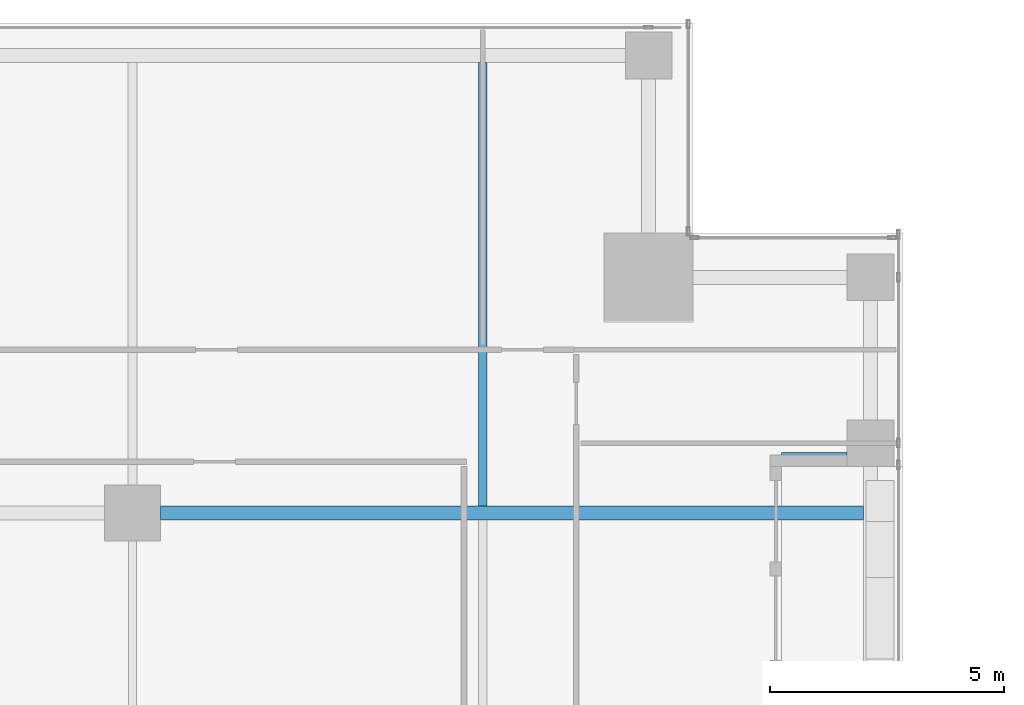
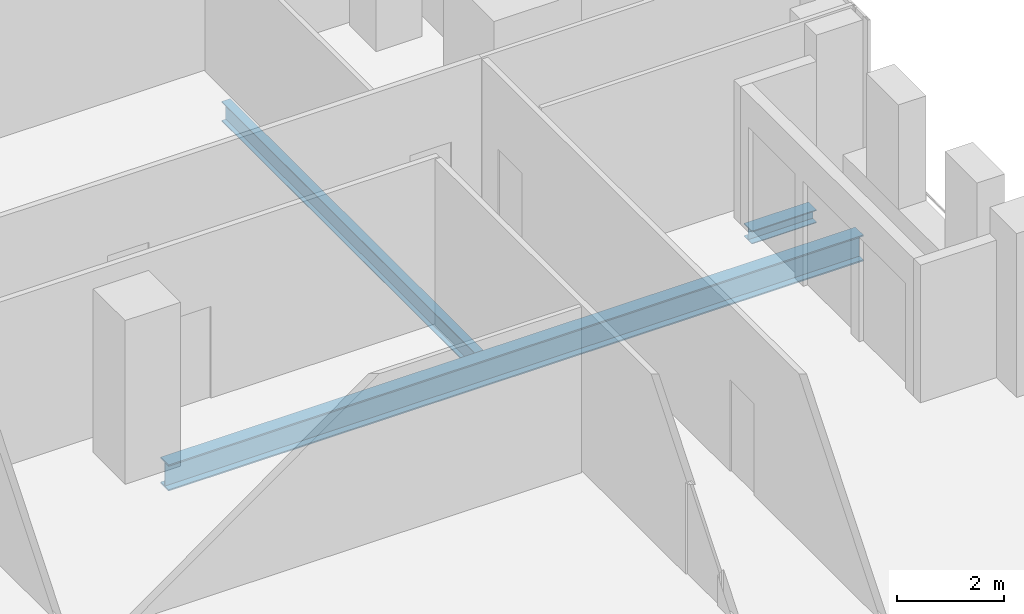
# One storey, part 22 of 38: 3 beams.
"""IFC4 building model written with IfcOpenShell, lengths in metres."""

import ifcopenshell
import ifcopenshell.guid

model = None  # the IFC model being written
_history = None  # IfcOwnerHistory: only IFC2X3 demands one
_inside = {}  # id of a spatial element -> (the spatial element, [elements in it])
_under = {}  # id of a project, library or spatial element -> (it, [spatial elements below it])
_declared = {}  # id of a project -> (the project, [libraries it declares])
_typed = {}  # id of a type object -> (the type object, [elements of that type])
_made_of = {}  # id of a material, layer set ... -> (it, [elements and type objects made of it])


def new_model(schema):
    """Start an empty IFC model of exactly this schema.

    Asked for "IFC4X3", IfcOpenShell would pick the latest addendum, in which some entities
    have other attributes; the version numbers below select the first issue.
    IFC2X3 requires an IfcOwnerHistory on every rooted entity: one is made here for all.
    """
    global model, _history
    if schema == "IFC4X3":
        model = ifcopenshell.file(schema_version=(4, 3, 0, 0))
    else:
        model = ifcopenshell.file(schema=schema)
    _inside.clear()
    _under.clear()
    _declared.clear()
    _typed.clear()
    _made_of.clear()
    _history = None
    if model.schema == "IFC2X3":
        org = make("IfcOrganization", Name="unknown")
        user = make(
            "IfcPersonAndOrganization",
            ThePerson=make("IfcPerson", FamilyName="unknown"),
            TheOrganization=org,
        )
        app = make(
            "IfcApplication",
            ApplicationDeveloper=org,
            Version="unknown",
            ApplicationFullName="unknown",
            ApplicationIdentifier="unknown",
        )
        _history = make(
            "IfcOwnerHistory",
            OwningUser=user,
            OwningApplication=app,
            ChangeAction="ADDED",
            CreationDate=0,
        )
    return model


def make(cls, **values):
    """One entity of the class cls with the attributes given. An attribute that is None is left unset."""
    return model.create_entity(
        cls, **{name: value for name, value in values.items() if value is not None}
    )


def rooted(cls, **values):
    """An entity with a GlobalId (a new one), such as an element, a storey or a relation."""
    return make(cls, GlobalId=ifcopenshell.guid.new(), OwnerHistory=_history, **values)


def si_unit(unit_type, name, prefix=None):
    """IfcSIUnit, for example si_unit("LENGTHUNIT", "METRE", prefix="MILLI")."""
    return make("IfcSIUnit", UnitType=unit_type, Prefix=prefix, Name=name)


def assignment(units):
    """IfcUnitAssignment: the units of a project."""
    return None if units is None else make("IfcUnitAssignment", Units=units)


def point(xyz):
    """IfcCartesianPoint."""
    return None if xyz is None else make("IfcCartesianPoint", Coordinates=xyz)


def direction(xyz):
    """IfcDirection."""
    return None if xyz is None else make("IfcDirection", DirectionRatios=xyz)


def frame(location, z_axis=None, x_axis=None):
    """IfcAxis2Placement3D, a coordinate frame: its origin and axes. An axis left out is left unset."""
    return make(
        "IfcAxis2Placement3D",
        Location=point(location),
        Axis=direction(z_axis),
        RefDirection=direction(x_axis),
    )


def frame_2d(location, x_axis=None):
    """IfcAxis2Placement2D, a coordinate frame in the plane: its origin and x axis."""
    return make(
        "IfcAxis2Placement2D", Location=point(location), RefDirection=direction(x_axis)
    )


def origin():
    """The frame at (0, 0, 0) with its axes left unset."""
    return frame((0.0, 0.0, 0.0))


def origin_2d():
    """The frame at (0, 0) in the plane with its x axis left unset."""
    return frame_2d((0.0, 0.0))


def place(relative_to, where):
    """IfcLocalPlacement: puts the frame where relative to a parent placement (None: the world)."""
    return make(
        "IfcLocalPlacement", PlacementRelTo=relative_to, RelativePlacement=where
    )


def context(
    kind, dimensions, precision=None, world=None, true_north=None, identifier=None
):
    """IfcGeometricRepresentationContext, for example the 3D "Model" context."""
    return make(
        "IfcGeometricRepresentationContext",
        ContextIdentifier=identifier,
        ContextType=kind,
        CoordinateSpaceDimension=dimensions,
        Precision=precision,
        WorldCoordinateSystem=world,
        TrueNorth=true_north,
    )


def subcontext(parent, identifier, kind, view, scale=None):
    """IfcGeometricRepresentationSubContext, for example "Body" below "Model"."""
    return make(
        "IfcGeometricRepresentationSubContext",
        ContextIdentifier=identifier,
        ContextType=kind,
        ParentContext=parent,
        TargetScale=scale,
        TargetView=view,
    )


def project(units=None, contexts=None):
    """IfcProject with its units and contexts."""
    return rooted(
        "IfcProject",
        Name="project",
        RepresentationContexts=contexts,
        UnitsInContext=assignment(units),
    )


def spatial(cls, under=None, at=None, **own):
    """A site, building, storey or space (cls), placed at a placement, below another one or the project."""
    s = rooted(cls, ObjectPlacement=at, **own)
    if under is not None:
        _under.setdefault(under.id(), (under, []))[1].append(s)
    return s


def profile(cls, at=None, kind="AREA", **sizes):
    """A parametric profile (cls). Its sizes go by their IFC names, for example OverallWidth=200.0."""
    return make(cls, ProfileType=kind, Position=at, **sizes)


def i_section(**sizes):
    """IfcIShapeProfileDef."""
    return profile("IfcIShapeProfileDef", **sizes)


def extrude(swept, where, along, depth):
    """IfcExtrudedAreaSolid: the profile swept, set in the frame where, extruded along a direction by depth."""
    return make(
        "IfcExtrudedAreaSolid",
        SweptArea=swept,
        Position=where,
        ExtrudedDirection=direction(along),
        Depth=depth,
    )


def shape(context_of_items, identifier, shape_type, items):
    """IfcShapeRepresentation: the items that make up one representation, for example the "Body"."""
    return make(
        "IfcShapeRepresentation",
        ContextOfItems=context_of_items,
        RepresentationIdentifier=identifier,
        RepresentationType=shape_type,
        Items=items,
    )


def source(mapping_origin, context_of_items, identifier, shape_type, items):
    """IfcRepresentationMap: a shape defined once, which mapped items show again and again."""
    return make(
        "IfcRepresentationMap",
        MappingOrigin=mapping_origin,
        MappedRepresentation=shape(context_of_items, identifier, shape_type, items),
    )


def transform(
    local_origin,
    x_axis=None,
    y_axis=None,
    z_axis=None,
    scale=None,
    scale2=None,
    scale3=None,
    uniform=True,
):
    """IfcCartesianTransformationOperator3D, or its non-uniform kind. x_axis, y_axis, z_axis: its Axis1, 2, 3."""
    if uniform:
        return make(
            "IfcCartesianTransformationOperator3D",
            Axis1=direction(x_axis),
            Axis2=direction(y_axis),
            LocalOrigin=point(local_origin),
            Scale=scale,
            Axis3=direction(z_axis),
        )
    return make(
        "IfcCartesianTransformationOperator3DnonUniform",
        Axis1=direction(x_axis),
        Axis2=direction(y_axis),
        LocalOrigin=point(local_origin),
        Scale=scale,
        Axis3=direction(z_axis),
        Scale2=scale2,
        Scale3=scale3,
    )


def mapped(mapping_source, mapping_target):
    """IfcMappedItem: shows the shape of a source again, moved by a transform."""
    return make(
        "IfcMappedItem", MappingSource=mapping_source, MappingTarget=mapping_target
    )


def material(Name=None, Category=None):
    """IfcMaterial."""
    return make("IfcMaterial", Name=Name, Category=Category)


def material_profile(
    of_material, cross_section, Name=None, Category=None, Priority=None
):
    """IfcMaterialProfile: a cross section and its material."""
    return make(
        "IfcMaterialProfile",
        Name=Name,
        Material=of_material,
        Profile=cross_section,
        Priority=Priority,
        Category=Category,
    )


def profile_set(profiles, Name=None, composite=None):
    """IfcMaterialProfileSet."""
    return make(
        "IfcMaterialProfileSet",
        Name=Name,
        MaterialProfiles=profiles,
        CompositeProfile=composite,
    )


def made_of(thing, what):
    """Note that an element or type object is made of a material, layer set ...; save() writes the relation."""
    if what is not None:
        _made_of.setdefault(what.id(), (what, []))[1].append(thing)
    return thing


def type_object(cls, material=None, **own):
    """A type object (cls), such as IfcWallType, which elements share."""
    return made_of(rooted(cls, **own), material)


def element(
    cls,
    number,
    at=None,
    inside=None,
    cuts=None,
    type_object=None,
    material=None,
    context=None,
    identifier="Body",
    shape_type=None,
    held_by="IfcProductDefinitionShape",
    body=None,
    shapes=None,
    **own,
):
    """One element of the class cls, such as IfcWall. Its Tag is "e" and its number.

    at: its placement. inside: the storey or other place that contains it. cuts: it is an
    opening in that element (IfcRelVoidsElement). A single representation is given by context,
    identifier, shape_type and body (its items); several are given by shapes. held_by: the class
    of the entity that holds the representations. save() writes the other relations.
    """
    e = rooted(cls, Tag="e%d" % number, ObjectPlacement=at, **own)
    if body is not None:
        shapes = [shape(context, identifier, shape_type, body)]
    if shapes is not None:
        e.Representation = make(held_by, Representations=shapes)
    if inside is not None:
        _inside.setdefault(inside.id(), (inside, []))[1].append(e)
    if cuts is not None:
        rooted(
            "IfcRelVoidsElement", RelatingBuildingElement=cuts, RelatedOpeningElement=e
        )
    if type_object is not None:
        _typed.setdefault(type_object.id(), (type_object, []))[1].append(e)
    return made_of(e, material)


def aggregate(whole, parts):
    """IfcRelAggregates: a whole, such as a stair, and the parts it consists of."""
    return rooted("IfcRelAggregates", RelatingObject=whole, RelatedObjects=parts)


def save(model, path):
    """Write the relations noted so far, then the file.

    IfcRelAggregates (storeys below a building ...), IfcRelContainedInSpatialStructure (elements
    in a storey), IfcRelDefinesByType, IfcRelAssociatesMaterial and IfcRelDeclares: one each for
    every whole, place, type object, material and project.
    """
    for whole, parts in _under.values():
        aggregate(whole, parts)
    for where, things in _inside.values():
        rooted(
            "IfcRelContainedInSpatialStructure",
            RelatedElements=things,
            RelatingStructure=where,
        )
    for kind, things in _typed.values():
        rooted("IfcRelDefinesByType", RelatedObjects=things, RelatingType=kind)
    for what, things in _made_of.values():
        rooted("IfcRelAssociatesMaterial", RelatedObjects=things, RelatingMaterial=what)
    for by, libraries in _declared.values():
        rooted("IfcRelDeclares", RelatingContext=by, RelatedDefinitions=libraries)
    model.write(path)


model = new_model("IFC4")

# Units and contexts
model_context = context("Model", 3, precision=1e-05, world=origin(), true_north=direction((0.0, 1.0)))
body_context = subcontext(model_context, "Body", "Model", "MODEL_VIEW")
ifc_project = project(units=[si_unit("LENGTHUNIT", "METRE"), si_unit("AREAUNIT", "SQUARE_METRE"), si_unit("VOLUMEUNIT", "CUBIC_METRE"), si_unit("PLANEANGLEUNIT", "RADIAN"), si_unit("MASSUNIT", "GRAM", prefix="KILO")], contexts=[model_context])

# Site, building, storey
site_placement = place(None, origin())
site = spatial("IfcSite", under=ifc_project, at=site_placement, CompositionType="ELEMENT")
building_placement = place(site_placement, origin())
building = spatial("IfcBuilding", under=site, at=building_placement, Name="Khomas Fold Tower", CompositionType="ELEMENT")
storey_placement = place(building_placement, frame((0.0, 0.0, 196.699951171875)))
storey = spatial("IfcBuildingStorey", under=building, at=storey_placement, Name="L43", CompositionType="ELEMENT", Elevation=196.699951171875)

# Beams
ifc_material_1 = material(Name="Steel S355", Category="steel")
ifc_material_profile_1 = material_profile(ifc_material_1, i_section(OverallWidth=0.300048828125, OverallDepth=0.60009765625, WebThickness=0.015380859375, FlangeThickness=0.030029296875, at=origin_2d()), Name="HE 600 B")
ifc_profile_set_1 = profile_set([ifc_material_profile_1], Name="Steel S355")
beam_type_1 = type_object("IfcBeamType", Name="HE 600 B beam GB5", PredefinedType="BEAM", material=ifc_profile_set_1)
shared_shape_1 = source(origin(), body_context, "Body", "SweptSolid", [
    extrude(i_section(OverallWidth=0.300048828125, OverallDepth=0.60009765625, WebThickness=0.015380859375, FlangeThickness=0.030029296875, at=origin_2d()), origin(), (0.0, 0.0, 1.0), 15.0498046875),
])
beam_1_placement = place(storey_placement, frame((35.10009765625, 40.5, -0.550048828125), z_axis=(1.0, 0.0, 0.0), x_axis=(0.0, 1.0, 0.0)))
element("IfcBeam", 1, at=beam_1_placement, inside=storey, type_object=beam_type_1, Name="GB5", PredefinedType="BEAM", context=body_context, shape_type="MappedRepresentation", body=[
    mapped(shared_shape_1, transform((0.0, 0.0, 0.0))),
])
ifc_material_2 = material(Name="Steel S355", Category="steel")
ifc_material_profile_2 = material_profile(ifc_material_2, i_section(OverallWidth=0.300048828125, OverallDepth=0.300048828125, WebThickness=0.010986328125, FlangeThickness=0.01904296875, at=origin_2d()), Name="HE 300 B")
ifc_profile_set_2 = profile_set([ifc_material_profile_2], Name="Steel S355")
beam_type_2 = type_object("IfcBeamType", Name="HE 300 B beam BB1", PredefinedType="BEAM", material=ifc_profile_set_2)
shared_shape_2 = source(origin(), body_context, "Body", "SweptSolid", [
    extrude(i_section(OverallWidth=0.300048828125, OverallDepth=0.300048828125, WebThickness=0.010986328125, FlangeThickness=0.01904296875, at=origin_2d()), origin(), (0.0, 0.0, 1.0), 1.400146484375),
])
beam_2_placement = place(storey_placement, frame((48.39990234375, 41.64990234375, -0.39990234375), z_axis=(1.0, 0.0, 0.0), x_axis=(0.0, 1.0, 0.0)))
element("IfcBeam", 2, at=beam_2_placement, inside=storey, type_object=beam_type_2, Name="BB1", PredefinedType="BEAM", context=body_context, shape_type="MappedRepresentation", body=[
    mapped(shared_shape_2, transform((0.0, 0.0, 0.0))),
])
ifc_material_3 = material(Name="Steel S355", Category="steel")
ifc_material_profile_3 = material_profile(ifc_material_3, i_section(OverallWidth=0.18994140625, OverallDepth=0.449951171875, WebThickness=0.009521484375, FlangeThickness=0.0146484375, at=origin_2d()), Name="IPE 450")
ifc_profile_set_3 = profile_set([ifc_material_profile_3], Name="Steel S355")
beam_type_3 = type_object("IfcBeamType", Name="IPE 450 beam JB4", PredefinedType="BEAM", material=ifc_profile_set_3)
shared_shape_3 = source(origin(), body_context, "Body", "SweptSolid", [
    extrude(i_section(OverallWidth=0.18994140625, OverallDepth=0.449951171875, WebThickness=0.009521484375, FlangeThickness=0.0146484375, at=origin_2d()), origin(), (0.0, 0.0, 1.0), 9.5),
])
beam_3_placement = place(storey_placement, frame((42.0, 40.64990234375, -0.474853515625), z_axis=(0.0, 1.0, 0.0), x_axis=(-1.0, 0.0, 0.0)))
element("IfcBeam", 3, at=beam_3_placement, inside=storey, type_object=beam_type_3, Name="JB4", PredefinedType="BEAM", context=body_context, shape_type="MappedRepresentation", body=[
    mapped(shared_shape_3, transform((0.0, 0.0, 0.0))),
])

save(model, "model.ifc")
